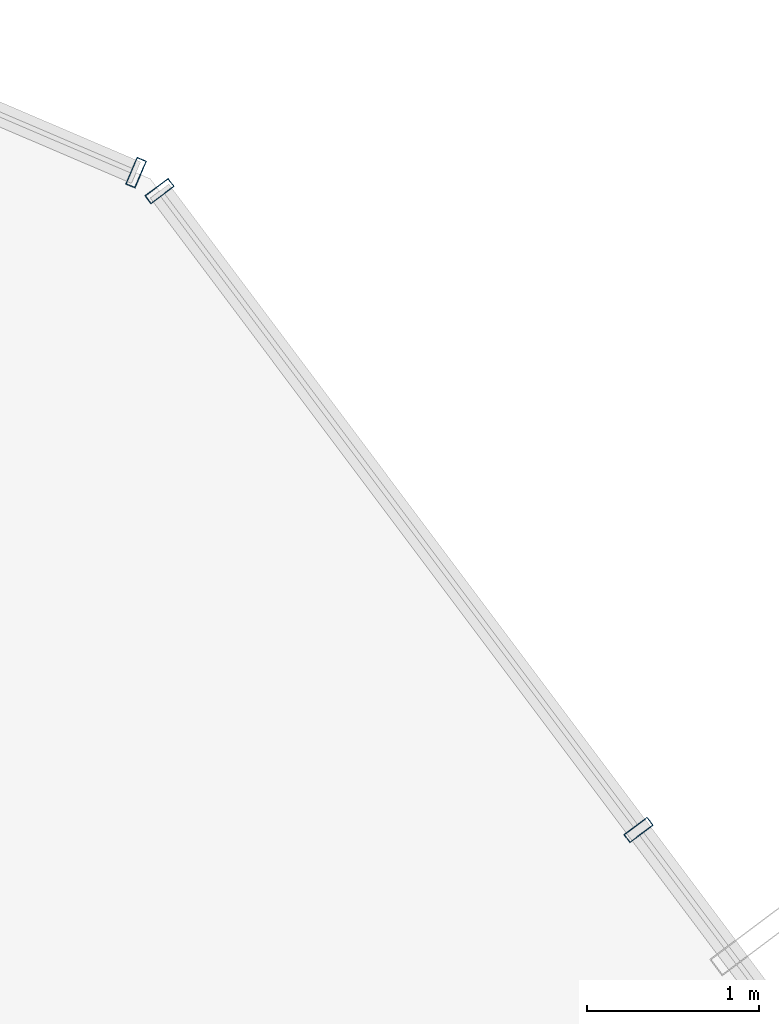
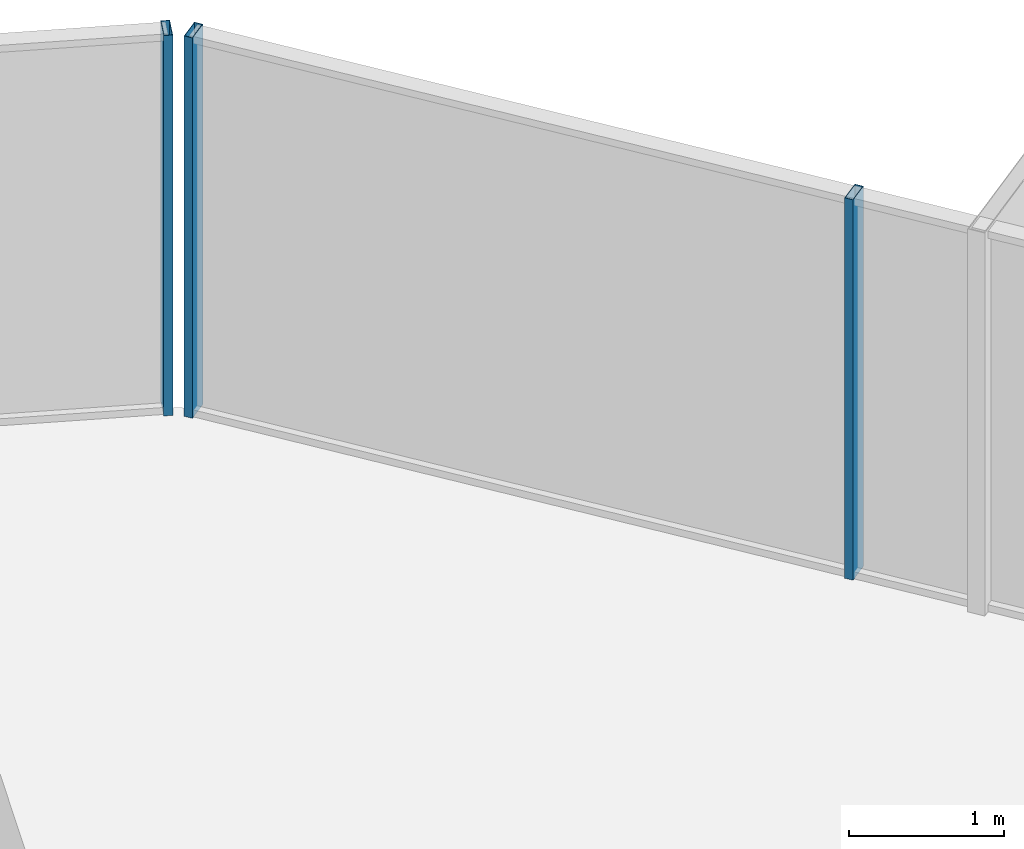
# One storey, part 31 of 37: 3 members, 2 elements without a shape of their own.
"""IFC4 building model written with IfcOpenShell, lengths in metres."""

from ifc_helpers import new_model, si_unit, direction, frame, origin, origin_2d, place, context, subcontext, project, spatial, hollow_rectangle, extrude, source, transform, mapped, material, layer, layer_set, material_profile, profile_set, type_object, element, aggregate, save


model = new_model("IFC4")

# Units and contexts
model_context = context("Model", 3, precision=1e-05, world=origin(), true_north=direction((0.0, 1.0)))
body_context = subcontext(model_context, "Body", "Model", "MODEL_VIEW")
ifc_project = project(units=[si_unit("LENGTHUNIT", "METRE"), si_unit("AREAUNIT", "SQUARE_METRE"), si_unit("VOLUMEUNIT", "CUBIC_METRE"), si_unit("PLANEANGLEUNIT", "RADIAN"), si_unit("MASSUNIT", "GRAM", prefix="KILO")], contexts=[model_context])

# Site, building, storey
site_placement = place(None, origin())
site = spatial("IfcSite", under=ifc_project, at=site_placement, CompositionType="ELEMENT")
building_placement = place(site_placement, origin())
building = spatial("IfcBuilding", under=site, at=building_placement, Name="Veraguas Prism Commons", CompositionType="ELEMENT")
storey_placement = place(building_placement, frame((0.0, 0.0, 46.800048828125)))
storey = spatial("IfcBuildingStorey", under=building, at=storey_placement, Name="L12", CompositionType="ELEMENT", Elevation=46.800048828125)

# Curtain wall, members
ifc_material = material(Name="Anodised aluminium EN AW-6063 T6", Category="aluminium")
ifc_layer = layer(ifc_material, 0.169921875, Name="Unitised Flush Curtain Wall Zone 1", Category="aluminium")
ifc_layer_set = layer_set([ifc_layer], Name="Anodised aluminium EN AW-6063 T6")
curtain_wall_type = type_object("IfcCurtainWallType", Name="Unitised Flush Curtain Wall Zone 1", PredefinedType="NOTDEFINED", material=ifc_layer_set)
curtain_wall_1_placement = place(storey_placement, origin())
curtain_wall_1 = element("IfcCurtainWall", 1, at=curtain_wall_1_placement, inside=storey, type_object=curtain_wall_type, Name="Tower Facade Curtain Wall L12-F1", PredefinedType="NOTDEFINED")
ifc_material_profile = material_profile(ifc_material, hollow_rectangle(XDim=0.06005859375, YDim=0.169921875, WallThickness=0.00390625, at=origin_2d()), Name="AL60X170X4")
ifc_profile_set = profile_set([ifc_material_profile], Name="Anodised aluminium EN AW-6063 T6")
member_type = type_object("IfcMemberType", Name="Curtain Wall Mullion Lower AL 60x170x4", PredefinedType="MULLION", material=ifc_profile_set)
shared_shape = source(origin(), body_context, "Body", "SweptSolid", [
    extrude(hollow_rectangle(XDim=0.06005859375, YDim=0.169921875, WallThickness=0.00390625, at=origin_2d()), origin(), (0.0, 0.0, 1.0), 3.0),
])
member_1_placement = place(storey_placement, frame((37.827880859375, 40.205078125, 0.0), z_axis=(0.0, 0.0, 1.0), x_axis=(-0.599861793842, 0.800103635968, 0.0)))
member_1 = element("IfcMember", 2, at=member_1_placement, type_object=member_type, Name="CW-Z1 Mullion 4", PredefinedType="MULLION", context=body_context, shape_type="MappedRepresentation", body=[
    mapped(shared_shape, transform((0.0, 0.0, 0.0), scale=1.0)),
])
member_2_placement = place(storey_placement, frame((35.0439453125, 43.91845703125, 0.0), z_axis=(0.0, 0.0, 1.0), x_axis=(-0.599861793842, 0.800103635968, 0.0)))
member_2 = element("IfcMember", 3, at=member_2_placement, type_object=member_type, Name="CW-Z1 Mullion 5", PredefinedType="MULLION", context=body_context, shape_type="MappedRepresentation", body=[
    mapped(shared_shape, transform((0.0, 0.0, 0.0), scale=1.0)),
])
aggregate(curtain_wall_1, [member_1, member_2])

# Curtain wall, member
curtain_wall_2_placement = place(storey_placement, origin())
curtain_wall_2 = element("IfcCurtainWall", 4, at=curtain_wall_2_placement, inside=storey, type_object=curtain_wall_type, Name="Chamfer Curtain Wall L12-C2", PredefinedType="NOTDEFINED")
member_3_placement = place(storey_placement, frame((34.9072265625, 44.02587890625, 0.0), z_axis=(0.0, 0.0, 1.0), x_axis=(-0.919550799566, 0.392971152908, 0.0)))
member_3 = element("IfcMember", 5, at=member_3_placement, type_object=member_type, Name="CW-Z1 Mullion 1", PredefinedType="MULLION", context=body_context, shape_type="MappedRepresentation", body=[
    mapped(shared_shape, transform((0.0, 0.0, 0.0), scale=1.0)),
])
aggregate(curtain_wall_2, [member_3])

save(model, "model.ifc")
